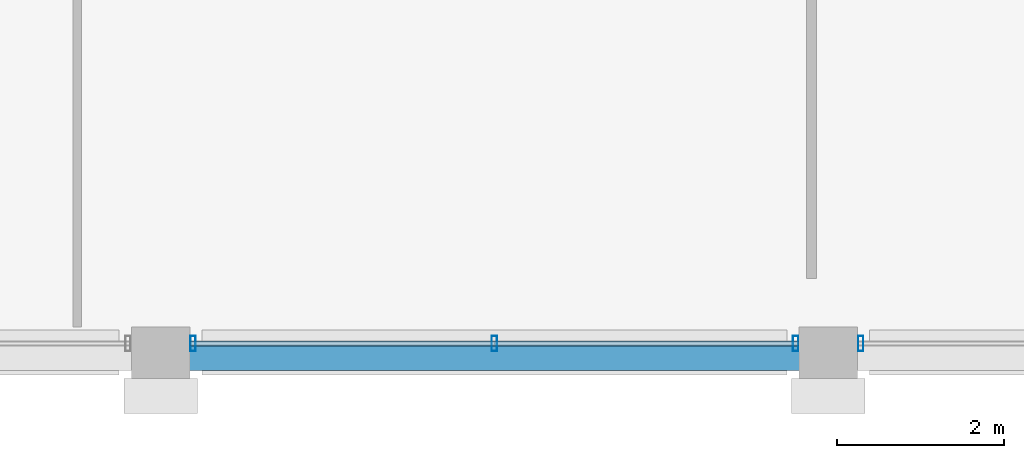
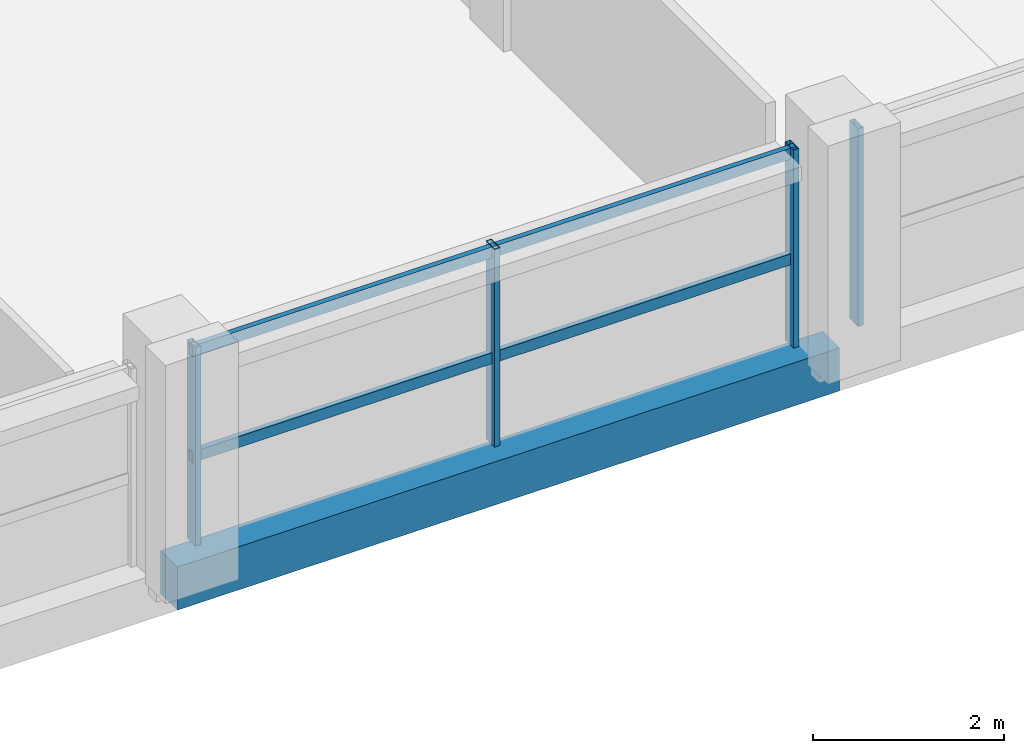
# One storey, part 5 of 24: 6 members, 1 beam, 2 elements without a shape of their own.
"""IFC4 building model written with IfcOpenShell, lengths in metres."""

from ifc_helpers import new_model, si_unit, direction, frame, origin, origin_2d, place, context, subcontext, project, spatial, rectangle, hollow_rectangle, extrude, material, material_profile, profile_set, type_object, element, aggregate, save


model = new_model("IFC4")

# Units and contexts
model_context = context("Model", 3, precision=1e-05, world=origin(), true_north=direction((0.0, 1.0)))
body_context = subcontext(model_context, "Body", "Model", "MODEL_VIEW")
ifc_project = project(units=[si_unit("LENGTHUNIT", "METRE"), si_unit("AREAUNIT", "SQUARE_METRE"), si_unit("VOLUMEUNIT", "CUBIC_METRE"), si_unit("PLANEANGLEUNIT", "RADIAN"), si_unit("MASSUNIT", "GRAM", prefix="KILO")], contexts=[model_context])

# Site, building, storey
site_placement = place(None, origin())
site = spatial("IfcSite", under=ifc_project, at=site_placement, CompositionType="ELEMENT")
building_placement = place(site_placement, origin())
building = spatial("IfcBuilding", under=site, at=building_placement, Name="Akrevak Sports Hall", CompositionType="ELEMENT")
storey_placement = place(building_placement, frame((0.0, 0.0, 56.800048828125)))
storey = spatial("IfcBuildingStorey", under=building, at=storey_placement, Name="L14", CompositionType="ELEMENT", Elevation=56.800048828125)

# Curtain wall, members
ifc_material_1 = material(Name="Anodized Bronze Aluminium & Low-E Glass", Category="aluminium")
curtain_wall_type = type_object("IfcCurtainWallType", Name="ARC-CW-TWR-64x30", PredefinedType="NOTDEFINED", material=ifc_material_1)
curtain_wall_1_placement = place(storey_placement, origin())
curtain_wall_1 = element("IfcCurtainWall", 1, at=curtain_wall_1_placement, inside=storey, type_object=curtain_wall_type, Name="Curtain Wall CW-L14-S03", PredefinedType="NOTDEFINED")
ifc_material_2 = material(Name="Anodized Bronze Aluminium", Category="aluminium")
ifc_material_profile_1 = material_profile(ifc_material_2, hollow_rectangle(XDim=0.06494140625, YDim=0.179931640625, WallThickness=0.00390625, at=origin_2d()), Name="CWM 65x180", Category="aluminium")
ifc_profile_set_1 = profile_set([ifc_material_profile_1], Name="Anodized Bronze Aluminium")
member_type_1 = type_object("IfcMemberType", Name="ARC-CWM-65x140", PredefinedType="MULLION", material=ifc_profile_set_1)
member_1_placement = place(storey_placement, frame((68.389892578125, 35.550048828125, 0.0), z_axis=(0.0, 0.0, 1.0), x_axis=(1.0, 0.0, 0.0)))
member_1 = element("IfcMember", 2, at=member_1_placement, type_object=member_type_1, Name="Curtain Wall Mullion CW-L14-S03-M1", PredefinedType="MULLION", context=body_context, shape_type="SweptSolid", body=[
    extrude(hollow_rectangle(XDim=0.06494140625, YDim=0.179931640625, WallThickness=0.00390625, at=origin_2d()), origin(), (0.0, 0.0, 1.0), 2.530029296875),
])
member_2_placement = place(storey_placement, frame((72.0, 35.550048828125, 0.0), z_axis=(0.0, 0.0, 1.0), x_axis=(1.0, 0.0, 0.0)))
member_2 = element("IfcMember", 3, at=member_2_placement, type_object=member_type_1, Name="Curtain Wall Mullion CW-L14-S03-M2", PredefinedType="MULLION", context=body_context, shape_type="SweptSolid", body=[
    extrude(hollow_rectangle(XDim=0.06494140625, YDim=0.179931640625, WallThickness=0.00390625, at=origin_2d()), origin(), (0.0, 0.0, 1.0), 2.530029296875),
])
member_3_placement = place(storey_placement, frame((75.610107421875, 35.550048828125, 0.0), z_axis=(0.0, 0.0, 1.0), x_axis=(1.0, 0.0, 0.0)))
member_3 = element("IfcMember", 4, at=member_3_placement, type_object=member_type_1, Name="Curtain Wall Mullion CW-L14-S03-M3", PredefinedType="MULLION", context=body_context, shape_type="SweptSolid", body=[
    extrude(hollow_rectangle(XDim=0.06494140625, YDim=0.179931640625, WallThickness=0.00390625, at=origin_2d()), origin(), (0.0, 0.0, 1.0), 2.530029296875),
])

# Curtain wall, member
curtain_wall_2_placement = place(storey_placement, origin())
curtain_wall_2 = element("IfcCurtainWall", 5, at=curtain_wall_2_placement, inside=storey, type_object=curtain_wall_type, Name="Curtain Wall CW-L14-S04", PredefinedType="NOTDEFINED")
member_4_placement = place(storey_placement, frame((76.389892578125, 35.550048828125, 0.0), z_axis=(0.0, 0.0, 1.0), x_axis=(1.0, 0.0, 0.0)))
member_4 = element("IfcMember", 6, at=member_4_placement, type_object=member_type_1, Name="Curtain Wall Mullion CW-L14-S04-M1", PredefinedType="MULLION", context=body_context, shape_type="SweptSolid", body=[
    extrude(hollow_rectangle(XDim=0.06494140625, YDim=0.179931640625, WallThickness=0.00390625, at=origin_2d()), origin(), (0.0, 0.0, 1.0), 2.530029296875),
])
aggregate(curtain_wall_2, [member_4])

# Member
ifc_material_profile_2 = material_profile(ifc_material_2, hollow_rectangle(XDim=0.06494140625, YDim=0.139892578125, WallThickness=0.00390625, at=origin_2d()), Name="CWT 65x140", Category="aluminium")
ifc_profile_set_2 = profile_set([ifc_material_profile_2], Name="Anodized Bronze Aluminium")
member_type_2 = type_object("IfcMemberType", Name="ARC-CWT-65x110", PredefinedType="USERDEFINED", material=ifc_profile_set_2)
member_5_placement = place(storey_placement, frame((68.35009765625, 35.550048828125, 1.099853515625), z_axis=(1.0, 0.0, 0.0), x_axis=(0.0, 1.0, 0.0)))
member_5 = element("IfcMember", 7, at=member_5_placement, type_object=member_type_2, Name="Curtain Wall Transom CW-L14-S03-T1", ObjectType="TRANSOM", PredefinedType="USERDEFINED", context=body_context, shape_type="SweptSolid", body=[
    extrude(hollow_rectangle(XDim=0.06494140625, YDim=0.139892578125, WallThickness=0.00390625, at=origin_2d()), origin(), (0.0, 0.0, 1.0), 7.2998046875),
])

member_6_placement = place(storey_placement, frame((68.35009765625, 35.550048828125, 2.449951171875), z_axis=(1.0, 0.0, 0.0), x_axis=(0.0, 1.0, 0.0)))
member_6 = element("IfcMember", 8, at=member_6_placement, type_object=member_type_2, Name="Curtain Wall Transom CW-L14-S03-T2", ObjectType="TRANSOM", PredefinedType="USERDEFINED", context=body_context, shape_type="SweptSolid", body=[
    extrude(hollow_rectangle(XDim=0.06494140625, YDim=0.139892578125, WallThickness=0.00390625, at=origin_2d()), origin(), (0.0, 0.0, 1.0), 7.2998046875),
])

aggregate(curtain_wall_1, [member_1, member_2, member_3, member_5, member_6])

# Beam
ifc_material_3 = material(Name="Concrete C40/50", Category="concrete")
ifc_material_profile_3 = material_profile(ifc_material_3, rectangle(XDim=0.35009765625, YDim=0.550048828125, at=origin_2d()), Name="BM 350x550", Category="concrete")
ifc_profile_set_3 = profile_set([ifc_material_profile_3], Name="Concrete C40/50")
beam_type = type_object("IfcBeamType", Name="STR-BM-RC350x550", PredefinedType="BEAM", material=ifc_profile_set_3)
beam_placement = place(storey_placement, frame((68.0, 35.39990234375, -0.275146484375), z_axis=(1.0, 0.0, 0.0), x_axis=(0.0, 1.0, 0.0)))
element("IfcBeam", 9, at=beam_placement, inside=storey, type_object=beam_type, Name="Girder F/10-11 (L14)", PredefinedType="BEAM", context=body_context, shape_type="SweptSolid", body=[
    extrude(rectangle(XDim=0.35009765625, YDim=0.550048828125, at=origin_2d()), origin(), (0.0, 0.0, 1.0), 8.0),
])

save(model, "model.ifc")
